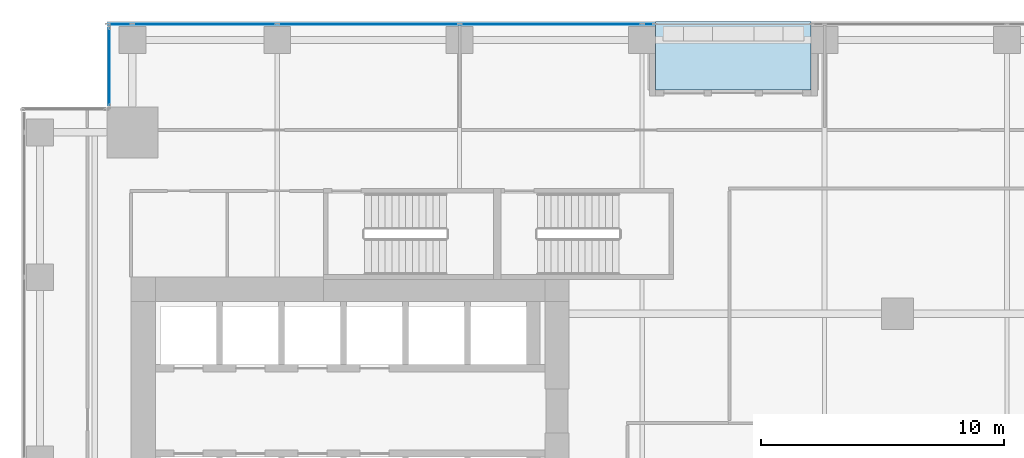
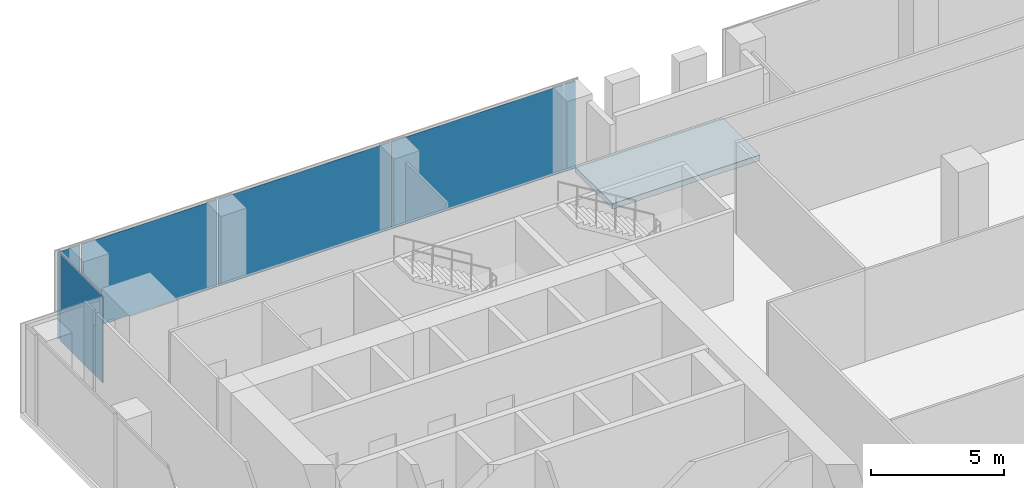
# One storey, part 26 of 35: 6 plates, 1 slab, 2 elements without a shape of their own.
"""IFC4 building model written with IfcOpenShell, lengths in metres."""

from ifc_helpers import new_model, si_unit, direction, frame, origin, origin_2d, place, context, subcontext, project, spatial, polyline, rectangle, outline, extrude, source, transform, mapped, material, layer, layer_set, type_object, element, aggregate, save


model = new_model("IFC4")

# Units and contexts
model_context = context("Model", 3, precision=1e-05, world=origin(), true_north=direction((0.0, 1.0)))
body_context = subcontext(model_context, "Body", "Model", "MODEL_VIEW")
ifc_project = project(units=[si_unit("LENGTHUNIT", "METRE"), si_unit("AREAUNIT", "SQUARE_METRE"), si_unit("VOLUMEUNIT", "CUBIC_METRE"), si_unit("PLANEANGLEUNIT", "RADIAN"), si_unit("MASSUNIT", "GRAM", prefix="KILO")], contexts=[model_context])

# Site, building, storey
site_placement = place(None, origin())
site = spatial("IfcSite", under=ifc_project, at=site_placement, CompositionType="ELEMENT")
building_placement = place(site_placement, origin())
building = spatial("IfcBuilding", under=site, at=building_placement, Name="Khomas Fold Tower", CompositionType="ELEMENT")
storey_placement = place(building_placement, frame((0.0, 0.0, 119.10009765625)))
storey = spatial("IfcBuildingStorey", under=building, at=storey_placement, Name="L25", CompositionType="ELEMENT", Elevation=119.10009765625)

# Curtain wall, plates
ifc_material_1 = material(Name="Aluminium framed double glazing", Category="aluminium")
curtain_wall_type = type_object("IfcCurtainWallType", Name="SK-Unitised clear-glass wall, growing floors CW1", PredefinedType="NOTDEFINED", material=ifc_material_1)
curtain_wall_1_placement = place(storey_placement, origin())
curtain_wall_1 = element("IfcCurtainWall", 1, at=curtain_wall_1_placement, inside=storey, type_object=curtain_wall_type, Name="CW1 run L25 06-1", PredefinedType="NOTDEFINED")
ifc_material_2 = material(Name="Clear double glazed unit")
ifc_layer_1 = layer(ifc_material_2, 0.031982421875)
ifc_layer_set_1 = layer_set([ifc_layer_1], Name="Clear double glazed unit")
plate_type = type_object("IfcPlateType", Name="SK-Unitised clear-glass wall, growing floors glass panel CW1-P", PredefinedType="CURTAIN_PANEL", material=ifc_layer_set_1)
shared_shape_1 = source(origin(), body_context, "Body", "SweptSolid", [
    extrude(rectangle(XDim=5.889892578125, YDim=0.031982421875, at=origin_2d()), origin(), (0.0, 0.0, 1.0), 3.97998046875),
])
plate_1_placement = place(storey_placement, frame((9.02490234375, 52.39990234375, 0.0), z_axis=(0.0, 0.0, 1.0), x_axis=(-1.0, 0.0, 0.0)))
plate_1 = element("IfcPlate", 2, at=plate_1_placement, type_object=plate_type, Name="CW1 glass panel 4", PredefinedType="CURTAIN_PANEL", context=body_context, shape_type="MappedRepresentation", body=[
    mapped(shared_shape_1, transform((0.0, 0.0, 0.0))),
])
shared_shape_2 = source(origin(), body_context, "Body", "SweptSolid", [
    extrude(rectangle(XDim=7.43994140625, YDim=0.031982421875, at=origin_2d()), origin(), (0.0, 0.0, 1.0), 3.97998046875),
])
plate_2_placement = place(storey_placement, frame((23.25, 52.39990234375, 0.0), z_axis=(0.0, 0.0, 1.0), x_axis=(-1.0, 0.0, 0.0)))
plate_2 = element("IfcPlate", 3, at=plate_2_placement, type_object=plate_type, Name="CW1 glass panel 2", PredefinedType="CURTAIN_PANEL", context=body_context, shape_type="MappedRepresentation", body=[
    mapped(shared_shape_2, transform((0.0, 0.0, 0.0))),
])
plate_3_placement = place(storey_placement, frame((15.75, 52.39990234375, 0.0), z_axis=(0.0, 0.0, 1.0), x_axis=(-1.0, 0.0, 0.0)))
plate_3 = element("IfcPlate", 4, at=plate_3_placement, type_object=plate_type, Name="CW1 glass panel 3", PredefinedType="CURTAIN_PANEL", context=body_context, shape_type="MappedRepresentation", body=[
    mapped(shared_shape_2, transform((0.0, 0.0, 0.0))),
])
shared_shape_3 = source(origin(), body_context, "Body", "SweptSolid", [
    extrude(rectangle(XDim=0.9599609375, YDim=0.031982421875, at=origin_2d()), origin(), (0.0, 0.0, 1.0), 3.97998046875),
])
plate_4_placement = place(storey_placement, frame((5.5400390625, 52.39990234375, 0.0), z_axis=(0.0, 0.0, 1.0), x_axis=(-1.0, 0.0, 0.0)))
plate_4 = element("IfcPlate", 5, at=plate_4_placement, type_object=plate_type, Name="CW1 glass panel 5", PredefinedType="CURTAIN_PANEL", context=body_context, shape_type="MappedRepresentation", body=[
    mapped(shared_shape_3, transform((0.0, 0.0, 0.0))),
])

# Curtain wall, plate
curtain_wall_2_placement = place(storey_placement, origin())
curtain_wall_2 = element("IfcCurtainWall", 6, at=curtain_wall_2_placement, inside=storey, type_object=curtain_wall_type, Name="CW1 corner return L25 07", PredefinedType="NOTDEFINED")
shared_shape_4 = source(origin(), body_context, "Body", "SweptSolid", [
    extrude(rectangle(XDim=3.179931640625, YDim=0.031982421875, at=origin_2d()), origin(), (0.0, 0.0, 1.0), 3.97998046875),
])
plate_5_placement = place(storey_placement, frame((5.10009765625, 50.64990234375, 0.0), z_axis=(0.0, 0.0, 1.0), x_axis=(0.0, -1.0, 0.0)))
plate_5 = element("IfcPlate", 7, at=plate_5_placement, type_object=plate_type, Name="CW1 glass panel 1", PredefinedType="CURTAIN_PANEL", context=body_context, shape_type="MappedRepresentation", body=[
    mapped(shared_shape_4, transform((0.0, 0.0, 0.0))),
])
aggregate(curtain_wall_2, [plate_5])

# Plate
shared_shape_5 = source(origin(), body_context, "Body", "SweptSolid", [
    extrude(rectangle(XDim=0.4599609375, YDim=0.031982421875, at=origin_2d()), origin(), (0.0, 0.0, 1.0), 3.97998046875),
])
plate_6_placement = place(storey_placement, frame((27.260009765625, 52.39990234375, 0.0), z_axis=(0.0, 0.0, 1.0), x_axis=(-1.0, 0.0, 0.0)))
plate_6 = element("IfcPlate", 8, at=plate_6_placement, type_object=plate_type, Name="CW1 glass panel 1", PredefinedType="CURTAIN_PANEL", context=body_context, shape_type="MappedRepresentation", body=[
    mapped(shared_shape_5, transform((0.0, 0.0, 0.0))),
])

aggregate(curtain_wall_1, [plate_6, plate_2, plate_3, plate_1, plate_4])

# Slab
ifc_material_3 = material(Name="Concrete C40/50", Category="concrete")
ifc_layer_2 = layer(ifc_material_3, 0.2548828125)
ifc_layer_set_2 = layer_set([ifc_layer_2], Name="Concrete C40/50")
slab_type = type_object("IfcSlabType", Name="BL-Balcony deck 255", PredefinedType="FLOOR", material=ifc_layer_set_2)
shared_shape_6 = source(origin(), body_context, "Body", "SweptSolid", [
    extrude(outline(polyline([(27.550048828125, 49.699951171875), (33.949951171875, 49.699951171875), (33.949951171875, 52.5), (27.550048828125, 52.5), (27.550048828125, 49.699951171875)])), origin(), (0.0, 0.0, 1.0), 0.2548828125),
])
slab_placement = place(storey_placement, frame((0.0, 0.0, -0.300048828125)))
element("IfcSlab", 9, at=slab_placement, inside=storey, type_object=slab_type, Name="Balcony deck BAL-L25-N3", PredefinedType="FLOOR", context=body_context, shape_type="MappedRepresentation", body=[
    mapped(shared_shape_6, transform((0.0, 0.0, 0.0))),
])

save(model, "model.ifc")
